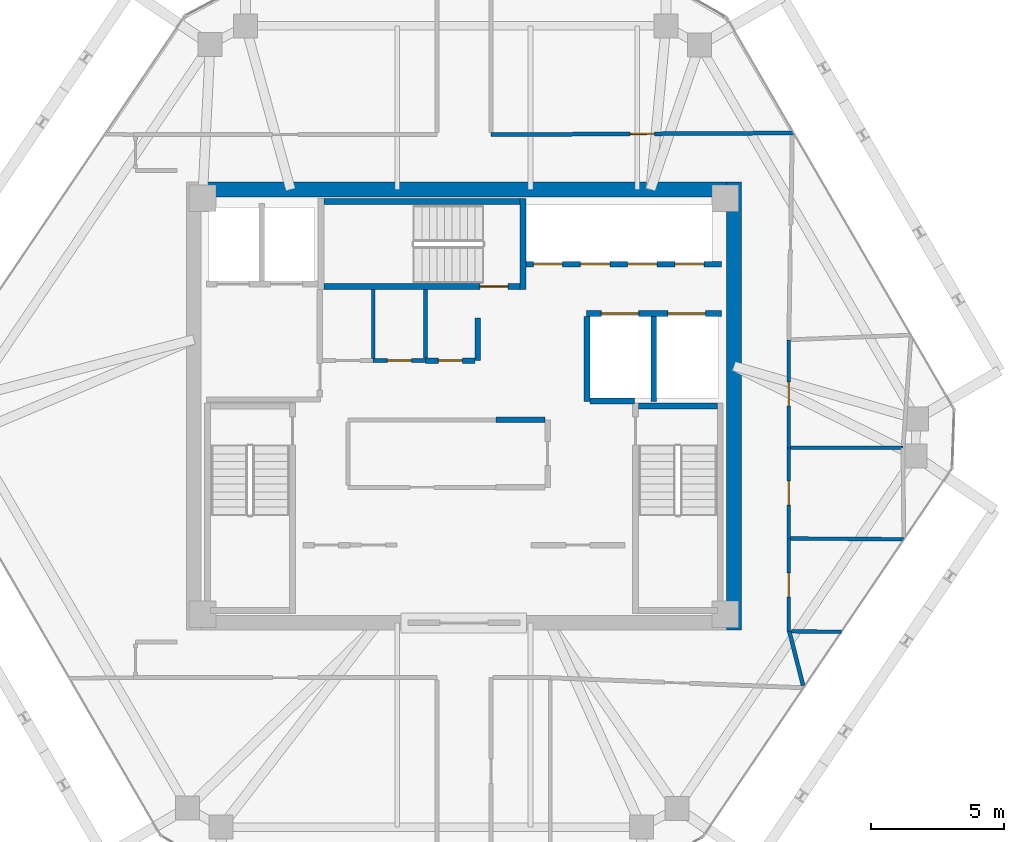
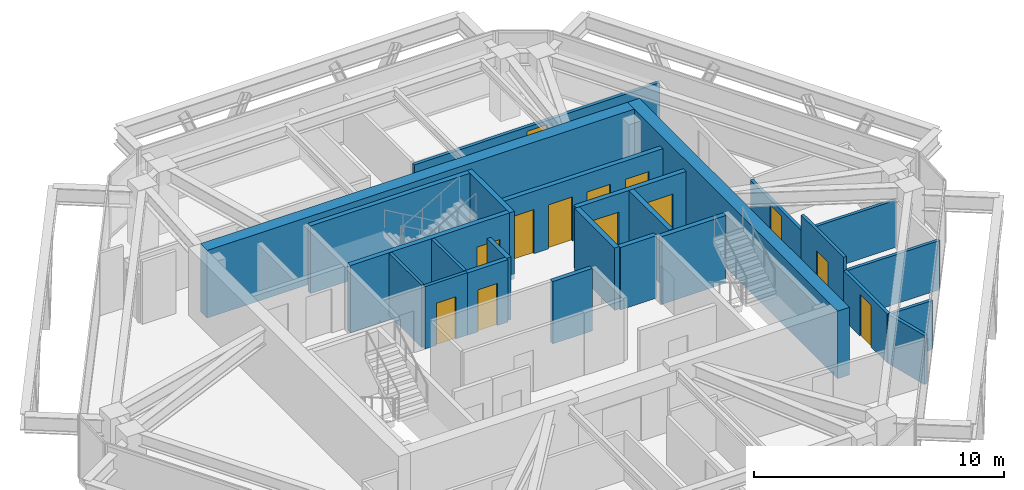
# One storey, part 9 of 11: 25 walls, 13 doors, 13 openings.
"""IFC4 building model written with IfcOpenShell, lengths in metres."""

from ifc_helpers import new_model, si_unit, direction, frame, frame_2d, origin, place, context, subcontext, project, spatial, rectangle, extrude, source, transform, mapped, material, layer, layer_set, type_object, type_shapes, element, fill, save


model = new_model("IFC4")

# Units and contexts
model_context = context("Model", 3, precision=1e-05, world=origin(), true_north=direction((0.0, 1.0)))
body_context = subcontext(model_context, "Body", "Model", "MODEL_VIEW")
ifc_project = project(units=[si_unit("LENGTHUNIT", "METRE"), si_unit("AREAUNIT", "SQUARE_METRE"), si_unit("VOLUMEUNIT", "CUBIC_METRE"), si_unit("PLANEANGLEUNIT", "RADIAN"), si_unit("MASSUNIT", "GRAM", prefix="KILO")], contexts=[model_context])

# Site, building, storey
site_placement = place(None, origin())
site = spatial("IfcSite", under=ifc_project, at=site_placement, CompositionType="ELEMENT")
building_placement = place(site_placement, origin())
building = spatial("IfcBuilding", under=site, at=building_placement, Name="Durnholm Broadcast Tower", CompositionType="ELEMENT")
storey_placement = place(building_placement, frame((0.0, 0.0, 218.300048828125)))
storey = spatial("IfcBuildingStorey", under=building, at=storey_placement, Name="L60", CompositionType="ELEMENT", Elevation=218.300048828125)

# Walls
ifc_material_1 = material(Name="Concrete C70/85", Category="concrete")
ifc_layer_1 = layer(ifc_material_1, 0.550048828125)
ifc_layer_set_1 = layer_set([ifc_layer_1], Name="Concrete C70/85")
wall_type_1 = type_object("IfcWallType", Name="WALL-CW-550", PredefinedType="SHEAR", material=ifc_layer_set_1)
wall_1_placement = place(storey_placement, frame((10.125, -8.39990234375, 0.0), z_axis=(0.0, 0.0, 1.0), x_axis=(0.0, 1.0, 0.0)))
element("IfcWall", 1, at=wall_1_placement, inside=storey, type_object=wall_type_1, Name="L60 central core shear wall CW-EAST", PredefinedType="SHEAR", context=body_context, shape_type="SweptSolid", body=[
    extrude(rectangle(XDim=16.7998046875, YDim=0.550048828125, at=frame_2d((8.39990234375, 0.0))), origin(), (0.0, 0.0, 1.0), 3.300048828125),
])
wall_2_placement = place(storey_placement, frame((-9.85009765625, 8.125, 0.0), z_axis=(0.0, 0.0, 1.0), x_axis=(1.0, 0.0, 0.0)))
element("IfcWall", 2, at=wall_2_placement, inside=storey, type_object=wall_type_1, Name="L60 central core shear wall CW-N", PredefinedType="SHEAR", context=body_context, shape_type="SweptSolid", body=[
    extrude(rectangle(XDim=19.7001953125, YDim=0.550048828125, at=frame_2d((9.85009765625, 0.0))), origin(), (0.0, 0.0, 1.0), 3.300048828125),
])
ifc_material_2 = material(Name="Fire-Rated Gypsum Shaftwall", Category="concrete")
ifc_layer_2 = layer(ifc_material_2, 0.199951171875)
ifc_layer_set_2 = layer_set([ifc_layer_2], Name="Fire-Rated Gypsum Shaftwall")
wall_type_2 = type_object("IfcWallType", Name="WALL-LOB-200", PredefinedType="SOLIDWALL", material=ifc_layer_set_2)
wall_3_placement = place(storey_placement, frame((1.2099609375, -0.510009765625, 0.0), z_axis=(0.0, 0.0, 1.0), x_axis=(1.0, 0.0, 0.0)))
element("IfcWall", 3, at=wall_3_placement, inside=storey, type_object=wall_type_2, Name="L60 Core IT Telecom Room corridor partition", PredefinedType="SOLIDWALL", context=body_context, shape_type="SweptSolid", body=[
    extrude(rectangle(XDim=1.825927734375, YDim=0.199951171875, at=frame_2d((0.9130859375, 0.0))), origin(), (0.0, 0.0, 1.0), 3.044921875),
])
wall_4_placement = place(storey_placement, frame((0.52001953125, 3.300048828125, 0.0), z_axis=(0.0, 0.0, 1.0), x_axis=(0.0, -1.0, 0.0)))
element("IfcWall", 4, at=wall_4_placement, inside=storey, type_object=wall_type_2, Name="L60 Core Telecom Patch Room corridor partition", PredefinedType="SOLIDWALL", context=body_context, shape_type="SweptSolid", body=[
    extrude(rectangle(XDim=1.590087890625, YDim=0.199951171875, at=frame_2d((0.794921875, 0.0))), origin(), (0.0, 0.0, 1.0), 3.044921875),
])

# Wall, opening, door
wall_5_placement = place(storey_placement, frame((0.416015625, 1.7099609375, 0.0), z_axis=(0.0, 0.0, 1.0), x_axis=(-1.0, 0.0, 0.0)))
wall_5 = element("IfcWall", 5, at=wall_5_placement, inside=storey, type_object=wall_type_2, Name="L60 Core Telecom Patch Room corridor partition", PredefinedType="SOLIDWALL", context=body_context, shape_type="SweptSolid", body=[
    extrude(rectangle(XDim=1.85595703125, YDim=0.199951171875, at=frame_2d((0.927978515625, 0.0))), origin(), (0.0, 0.0, 1.0), 3.044921875),
])
opening_1_placement = place(wall_5_placement, frame((0.47802734375, 0.0, 0.0)))
opening_1 = element("IfcOpeningElement", 6, at=opening_1_placement, cuts=wall_5, Name="Opening DC-60R", PredefinedType="OPENING", context=body_context, shape_type="SweptSolid", body=[
    extrude(rectangle(XDim=0.89990234375, YDim=2.050048828125, at=frame_2d((0.449951171875, 1.02490234375))), frame((0.0, 0.10986328125, 0.0), z_axis=(0.0, -1.0, 0.0), x_axis=(1.0, 0.0, 0.0)), (0.0, 0.0, 1.0), 0.219970703125),
])
ifc_material_3 = material(Name="Fire-Rated Core Service Door", Category="steel")
ifc_layer_3 = layer(ifc_material_3, 0.050048828125)
ifc_layer_set_3 = layer_set([ifc_layer_3], Name="Fire-Rated Core Service Door")
door_type_1 = type_object("IfcDoorType", Name="DOOR-CORE-FD60-R", OperationType="NOTDEFINED", PredefinedType="DOOR", material=ifc_layer_set_3)
shared_shape_1 = source(origin(), body_context, "Body", "SweptSolid", [
    extrude(rectangle(XDim=0.89990234375, YDim=2.050048828125, at=frame_2d((0.449951171875, 1.02490234375))), frame((0.0, 0.02490234375, 0.0), z_axis=(0.0, -1.0, 0.0), x_axis=(1.0, 0.0, 0.0)), (0.0, 0.0, 1.0), 0.050048828125),
])
type_shapes(door_type_1, [shared_shape_1])
door_1_placement = place(opening_1_placement, origin())
door_1 = element("IfcDoor", 7, at=door_1_placement, inside=storey, type_object=door_type_1, Name="L60 Core Telecom Patch Room entrance door", OperationType="SINGLE_SWING_RIGHT", OverallHeight=2.050048828125, OverallWidth=0.89990234375, PredefinedType="DOOR", context=body_context, shape_type="MappedRepresentation", body=[
    mapped(shared_shape_1, transform((0.0, 0.0, 0.0), x_axis=(1.0, 0.0, 0.0), y_axis=(0.0, 1.0, 0.0), z_axis=(0.0, 0.0, 1.0), scale=1.0)),
])
fill(opening_1, door_1)

# Walls
ifc_material_4 = material(Name="Gypsum Metal Stud Partition", Category="concrete")
ifc_layer_4 = layer(ifc_material_4, 0.135009765625)
ifc_layer_set_4 = layer_set([ifc_layer_4], Name="Gypsum Metal Stud Partition")
wall_type_3 = type_object("IfcWallType", Name="WALL-PART-135", PredefinedType="PARTITIONING", material=ifc_layer_set_4)
wall_6_placement = place(storey_placement, frame((-3.39990234375, 4.375, 0.0), z_axis=(0.0, 0.0, 1.0), x_axis=(0.0, -1.0, 0.0)))
element("IfcWall", 8, at=wall_6_placement, inside=storey, type_object=wall_type_3, Name="L60 room dividing partition 6.7", PredefinedType="PARTITIONING", context=body_context, shape_type="SweptSolid", body=[
    extrude(rectangle(XDim=2.5859375, YDim=0.135009765625, at=frame_2d((1.29296875, 0.0))), origin(), (0.0, 0.0, 1.0), 3.044921875),
])
wall_7_placement = place(storey_placement, frame((-1.43994140625, 4.375, 0.0), z_axis=(0.0, 0.0, 1.0), x_axis=(0.0, -1.0, 0.0)))
element("IfcWall", 9, at=wall_7_placement, inside=storey, type_object=wall_type_3, Name="L60 room dividing partition 7.8", PredefinedType="PARTITIONING", context=body_context, shape_type="SweptSolid", body=[
    extrude(rectangle(XDim=2.56103515625, YDim=0.135009765625, at=frame_2d((1.280517578125, 0.0))), origin(), (0.0, 0.0, 1.0), 3.044921875),
])

# Wall, opening, door
ifc_material_5 = material(Name="Acoustic Gypsum Stud Partition", Category="concrete")
ifc_layer_5 = layer(ifc_material_5, 0.14990234375)
ifc_layer_set_5 = layer_set([ifc_layer_5], Name="Acoustic Gypsum Stud Partition")
wall_type_4 = type_object("IfcWallType", Name="WALL-PART-150", PredefinedType="PARTITIONING", material=ifc_layer_set_5)
wall_8_placement = place(storey_placement, frame((-1.43994140625, 1.7099609375, 0.0), z_axis=(0.0, 0.0, 1.0), x_axis=(-1.0, 0.0, 0.0)))
wall_8 = element("IfcWall", 10, at=wall_8_placement, inside=storey, type_object=wall_type_4, Name="L60 Core Janitor Supply Closet corridor partition", PredefinedType="PARTITIONING", context=body_context, shape_type="SweptSolid", body=[
    extrude(rectangle(XDim=1.9599609375, YDim=0.14990234375, at=frame_2d((0.97998046875, 0.0))), origin(), (0.0, 0.0, 1.0), 3.044921875),
])
opening_2_placement = place(wall_8_placement, frame((0.530029296875, 0.0, 0.0)))
opening_2 = element("IfcOpeningElement", 11, at=opening_2_placement, cuts=wall_8, Name="Opening DC-60L", PredefinedType="OPENING", context=body_context, shape_type="SweptSolid", body=[
    extrude(rectangle(XDim=0.89990234375, YDim=2.050048828125, at=frame_2d((0.449951171875, 1.02490234375))), frame((0.0, 0.0849609375, 0.0), z_axis=(0.0, -1.0, 0.0), x_axis=(1.0, 0.0, 0.0)), (0.0, 0.0, 1.0), 0.169921875),
])
ifc_layer_6 = layer(ifc_material_3, 0.050048828125)
ifc_layer_set_6 = layer_set([ifc_layer_6], Name="Fire-Rated Core Service Door")
door_type_2 = type_object("IfcDoorType", Name="DOOR-CORE-FD60-L", OperationType="NOTDEFINED", PredefinedType="DOOR", material=ifc_layer_set_6)
shared_shape_2 = source(origin(), body_context, "Body", "SweptSolid", [
    extrude(rectangle(XDim=0.89990234375, YDim=2.050048828125, at=frame_2d((0.449951171875, 1.02490234375))), frame((0.0, 0.02490234375, 0.0), z_axis=(0.0, -1.0, 0.0), x_axis=(1.0, 0.0, 0.0)), (0.0, 0.0, 1.0), 0.050048828125),
])
type_shapes(door_type_2, [shared_shape_2])
door_2_placement = place(opening_2_placement, origin())
door_2 = element("IfcDoor", 12, at=door_2_placement, inside=storey, type_object=door_type_2, Name="L60 Core Janitor Supply Closet entrance door", OperationType="SINGLE_SWING_LEFT", OverallHeight=2.050048828125, OverallWidth=0.89990234375, PredefinedType="DOOR", context=body_context, shape_type="MappedRepresentation", body=[
    mapped(shared_shape_2, transform((0.0, 0.0, 0.0), x_axis=(1.0, 0.0, 0.0), y_axis=(0.0, 1.0, 0.0), z_axis=(0.0, 0.0, 1.0), scale=1.0)),
])
fill(opening_2, door_2)

wall_9_placement = place(storey_placement, frame((12.368408203125, 10.242919921875, 0.0), z_axis=(0.0, 0.0, 1.0), x_axis=(-0.999984623931, -0.005545439622, 0.0)))
wall_9 = element("IfcWall", 13, at=wall_9_placement, inside=storey, type_object=wall_type_4, Name="L60 Open Plan Broadcast Workspace 3 corridor partition", PredefinedType="PARTITIONING", context=body_context, shape_type="SweptSolid", body=[
    extrude(rectangle(XDim=11.358642578125, YDim=0.14990234375, at=frame_2d((5.67919921875, 0.0))), origin(), (0.0, 0.0, 1.0), 2.30126953125),
])
opening_3_placement = place(wall_9_placement, frame((5.21923828125, 0.0, 0.0)))
opening_3 = element("IfcOpeningElement", 14, at=opening_3_placement, cuts=wall_9, Name="Opening DR-92L", PredefinedType="OPENING", context=body_context, shape_type="SweptSolid", body=[
    extrude(rectangle(XDim=0.919921875, YDim=2.10009765625, at=frame_2d((0.4599609375, 1.050048828125))), frame((0.0, 0.0849609375, 0.0), z_axis=(0.0, -1.0, 0.0), x_axis=(1.0, 0.0, 0.0)), (0.0, 0.0, 1.0), 0.169921875),
])
ifc_material_6 = material(Name="Oak Veneer Office Door", Category="wood")
ifc_layer_7 = layer(ifc_material_6, 0.050048828125)
ifc_layer_set_7 = layer_set([ifc_layer_7], Name="Oak Veneer Office Door")
door_type_3 = type_object("IfcDoorType", Name="DOOR-RM-920L", OperationType="NOTDEFINED", PredefinedType="DOOR", material=ifc_layer_set_7)
shared_shape_3 = source(origin(), body_context, "Body", "SweptSolid", [
    extrude(rectangle(XDim=0.919921875, YDim=2.10009765625, at=frame_2d((0.4599609375, 1.050048828125))), frame((0.0, 0.02490234375, 0.0), z_axis=(0.0, -1.0, 0.0), x_axis=(1.0, 0.0, 0.0)), (0.0, 0.0, 1.0), 0.050048828125),
])
type_shapes(door_type_3, [shared_shape_3])
door_3_placement = place(opening_3_placement, origin())
door_3 = element("IfcDoor", 15, at=door_3_placement, inside=storey, type_object=door_type_3, Name="L60 Open Plan Broadcast Workspace 3 entrance door", OperationType="SINGLE_SWING_LEFT", OverallHeight=2.10009765625, OverallWidth=0.919921875, PredefinedType="DOOR", context=body_context, shape_type="MappedRepresentation", body=[
    mapped(shared_shape_3, transform((0.0, 0.0, 0.0), x_axis=(1.0, 0.0, 0.0), y_axis=(0.0, 1.0, 0.0), z_axis=(0.0, 0.0, 1.0), scale=1.0)),
])
fill(opening_3, door_3)

# Wall
wall_10_placement = place(storey_placement, frame((12.718505859375, -10.477783203125, 0.0), z_axis=(0.0, 0.0, 1.0), x_axis=(-0.246494896578, 0.96914408937, 0.0)))
element("IfcWall", 16, at=wall_10_placement, inside=storey, type_object=wall_type_4, Name="L60 Open Plan Broadcast Workspace 6 corridor partition", PredefinedType="PARTITIONING", context=body_context, shape_type="SweptSolid", body=[
    extrude(rectangle(XDim=2.102783203125, YDim=0.14990234375, at=frame_2d((1.05126953125, 0.0))), origin(), (0.0, 0.0, 1.0), 2.398681640625),
])

# Wall, openings, doors
ifc_material_7 = material(Name="Concrete Blockwork C30/37", Category="masonry")
ifc_layer_8 = layer(ifc_material_7, 0.219970703125)
ifc_layer_set_8 = layer_set([ifc_layer_8], Name="Concrete Blockwork C30/37")
wall_type_5 = type_object("IfcWallType", Name="WALL-SHAFT-220", PredefinedType="SOLIDWALL", material=ifc_layer_set_8)
wall_11_placement = place(storey_placement, frame((4.60009765625, 3.47998046875, 0.0), z_axis=(0.0, 0.0, 1.0), x_axis=(1.0, 0.0, 0.0)))
wall_11 = element("IfcWall", 17, at=wall_11_placement, inside=storey, type_object=wall_type_5, Name="L60 freight service lifts north front wall", PredefinedType="SOLIDWALL", context=body_context, shape_type="SweptSolid", body=[
    extrude(rectangle(XDim=5.0498046875, YDim=0.219970703125, at=frame_2d((2.52490234375, 0.0))), origin(), (0.0, 0.0, 1.0), 3.044921875),
])
opening_4_placement = place(wall_11_placement, frame((0.550048828125, 0.0, 0.0)))
opening_4 = element("IfcOpeningElement", 18, at=opening_4_placement, cuts=wall_11, Name="Opening LD-SVL-2", PredefinedType="OPENING", context=body_context, shape_type="SweptSolid", body=[
    extrude(rectangle(XDim=1.39990234375, YDim=2.14990234375, at=frame_2d((0.699951171875, 1.074951171875))), frame((0.0, 0.1201171875, 0.0), z_axis=(0.0, -1.0, 0.0), x_axis=(1.0, 0.0, 0.0)), (0.0, 0.0, 1.0), 0.239990234375),
])
opening_5_placement = place(wall_11_placement, frame((3.050048828125, 0.0, 0.0)))
opening_5 = element("IfcOpeningElement", 19, at=opening_5_placement, cuts=wall_11, Name="Opening LD-SVL-1", PredefinedType="OPENING", context=body_context, shape_type="SweptSolid", body=[
    extrude(rectangle(XDim=1.39990234375, YDim=2.14990234375, at=frame_2d((0.699951171875, 1.074951171875))), frame((0.0, 0.1201171875, 0.0), z_axis=(0.0, -1.0, 0.0), x_axis=(1.0, 0.0, 0.0)), (0.0, 0.0, 1.0), 0.239990234375),
])
ifc_material_8 = material(Name="Freight Elevator Bi-Parting Sliding Landing Door", Category="steel")
ifc_layer_9 = layer(ifc_material_8, 0.050048828125)
ifc_layer_set_9 = layer_set([ifc_layer_9], Name="Freight Elevator Bi-Parting Sliding Landing Door")
door_type_4 = type_object("IfcDoorType", Name="DOOR-LIFT-SVL", OperationType="DOUBLE_DOOR_SLIDING", PredefinedType="DOOR", material=ifc_layer_set_9)
shared_shape_4 = source(origin(), body_context, "Body", "SweptSolid", [
    extrude(rectangle(XDim=1.39990234375, YDim=2.14990234375, at=frame_2d((0.699951171875, 1.074951171875))), frame((0.0, 0.02490234375, 0.0), z_axis=(0.0, -1.0, 0.0), x_axis=(1.0, 0.0, 0.0)), (0.0, 0.0, 1.0), 0.050048828125),
])
type_shapes(door_type_4, [shared_shape_4])
door_4_placement = place(opening_4_placement, origin())
door_4 = element("IfcDoor", 20, at=door_4_placement, inside=storey, type_object=door_type_4, Name="L60 freight service elevator SVL-2 sliding landing door", OperationType="DOUBLE_DOOR_SLIDING", OverallHeight=2.14990234375, OverallWidth=1.39990234375, PredefinedType="DOOR", context=body_context, shape_type="MappedRepresentation", body=[
    mapped(shared_shape_4, transform((0.0, 0.0, 0.0), x_axis=(1.0, 0.0, 0.0), y_axis=(0.0, 1.0, 0.0), z_axis=(0.0, 0.0, 1.0), scale=1.0)),
])
fill(opening_4, door_4)
door_5_placement = place(opening_5_placement, origin())
door_5 = element("IfcDoor", 21, at=door_5_placement, inside=storey, type_object=door_type_4, Name="L60 freight service elevator SVL-1 sliding landing door", OperationType="DOUBLE_DOOR_SLIDING", OverallHeight=2.14990234375, OverallWidth=1.39990234375, PredefinedType="DOOR", context=body_context, shape_type="MappedRepresentation", body=[
    mapped(shared_shape_4, transform((0.0, 0.0, 0.0), x_axis=(1.0, 0.0, 0.0), y_axis=(0.0, 1.0, 0.0), z_axis=(0.0, 0.0, 1.0), scale=1.0)),
])
fill(opening_5, door_5)

# Walls
for number, where, z_axis, x_axis, name in (
    (22, (4.6201171875, 0.179931640625, 0.0), (0.0, 0.0, 1.0), (0.0, 1.0, 0.0), "L60 freight service lift SVL-2 west wall"),
    (23, (7.1201171875, 0.179931640625, 0.0), (0.0, 0.0, 1.0), (0.0, 1.0, 0.0), "L60 freight service lifts divider wall"),
):
    element("IfcWall", number, at=place(storey_placement, frame(where, z_axis=z_axis, x_axis=x_axis)), inside=storey, type_object=wall_type_5, Name=name, PredefinedType="SOLIDWALL", context=body_context, shape_type="SweptSolid", body=[
        extrude(rectangle(XDim=3.18603515625, YDim=0.219970703125, at=frame_2d((1.593017578125, 0.0))), origin(), (0.0, 0.0, 1.0), 3.044921875),
    ])
wall_12_placement = place(storey_placement, frame((4.73388671875, 0.199951171875, 0.0), z_axis=(0.0, 0.0, 1.0), x_axis=(1.0, 0.0, 0.0)))
element("IfcWall", 24, at=wall_12_placement, inside=storey, type_object=wall_type_5, Name="L60 freight service lift SVL-2 south wall", PredefinedType="SOLIDWALL", context=body_context, shape_type="SweptSolid", body=[
    extrude(rectangle(XDim=1.666015625, YDim=0.219970703125, at=frame_2d((0.8330078125, 0.0))), origin(), (0.0, 0.0, 1.0), 3.044921875),
])

# Wall, openings, doors
wall_13_placement = place(storey_placement, frame((2.324951171875, 5.320068359375, 0.0), z_axis=(0.0, 0.0, 1.0), x_axis=(1.0, 0.0, 0.0)))
wall_13 = element("IfcWall", 25, at=wall_13_placement, inside=storey, type_object=wall_type_5, Name="L60 high-rise bank P3 south front wall", PredefinedType="SOLIDWALL", context=body_context, shape_type="SweptSolid", body=[
    extrude(rectangle(XDim=7.324951171875, YDim=0.219970703125, at=frame_2d((3.66259765625, 0.0))), origin(), (0.0, 0.0, 1.0), 3.044921875),
])
opening_6_placement = place(wall_13_placement, frame((0.27490234375, 0.0, 0.0)))
opening_6 = element("IfcOpeningElement", 26, at=opening_6_placement, cuts=wall_13, Name="Opening LD-LP3-1", PredefinedType="OPENING", context=body_context, shape_type="SweptSolid", body=[
    extrude(rectangle(XDim=1.10009765625, YDim=2.14990234375, at=frame_2d((0.550048828125, 1.074951171875))), frame((0.0, 0.1201171875, 0.0), z_axis=(0.0, -1.0, 0.0), x_axis=(1.0, 0.0, 0.0)), (0.0, 0.0, 1.0), 0.239990234375),
])
opening_7_placement = place(wall_13_placement, frame((2.044921875, 0.0, 0.0)))
opening_7 = element("IfcOpeningElement", 27, at=opening_7_placement, cuts=wall_13, Name="Opening LD-LP3-2", PredefinedType="OPENING", context=body_context, shape_type="SweptSolid", body=[
    extrude(rectangle(XDim=1.10009765625, YDim=2.14990234375, at=frame_2d((0.550048828125, 1.074951171875))), frame((0.0, 0.1201171875, 0.0), z_axis=(0.0, -1.0, 0.0), x_axis=(1.0, 0.0, 0.0)), (0.0, 0.0, 1.0), 0.239990234375),
])
opening_8_placement = place(wall_13_placement, frame((3.81494140625, 0.0, 0.0)))
opening_8 = element("IfcOpeningElement", 28, at=opening_8_placement, cuts=wall_13, Name="Opening LD-LP3-3", PredefinedType="OPENING", context=body_context, shape_type="SweptSolid", body=[
    extrude(rectangle(XDim=1.10009765625, YDim=2.14990234375, at=frame_2d((0.550048828125, 1.074951171875))), frame((0.0, 0.1201171875, 0.0), z_axis=(0.0, -1.0, 0.0), x_axis=(1.0, 0.0, 0.0)), (0.0, 0.0, 1.0), 0.239990234375),
])
opening_9_placement = place(wall_13_placement, frame((5.5849609375, 0.0, 0.0)))
opening_9 = element("IfcOpeningElement", 29, at=opening_9_placement, cuts=wall_13, Name="Opening LD-LP3-4", PredefinedType="OPENING", context=body_context, shape_type="SweptSolid", body=[
    extrude(rectangle(XDim=1.10009765625, YDim=2.14990234375, at=frame_2d((0.550048828125, 1.074951171875))), frame((0.0, 0.1201171875, 0.0), z_axis=(0.0, -1.0, 0.0), x_axis=(1.0, 0.0, 0.0)), (0.0, 0.0, 1.0), 0.239990234375),
])
ifc_material_9 = material(Name="Stainless Steel Sliding Elevator Landing Door", Category="steel")
ifc_layer_10 = layer(ifc_material_9, 0.050048828125)
ifc_layer_set_10 = layer_set([ifc_layer_10], Name="Stainless Steel Sliding Elevator Landing Door")
door_type_5 = type_object("IfcDoorType", Name="DOOR-LIFT-PAX", OperationType="DOUBLE_DOOR_SLIDING", PredefinedType="DOOR", material=ifc_layer_set_10)
shared_shape_5 = source(origin(), body_context, "Body", "SweptSolid", [
    extrude(rectangle(XDim=1.10009765625, YDim=2.14990234375, at=frame_2d((0.550048828125, 1.074951171875))), frame((0.0, 0.02490234375, 0.0), z_axis=(0.0, -1.0, 0.0), x_axis=(1.0, 0.0, 0.0)), (0.0, 0.0, 1.0), 0.050048828125),
])
type_shapes(door_type_5, [shared_shape_5])
door_6_placement = place(opening_6_placement, origin())
door_6 = element("IfcDoor", 30, at=door_6_placement, inside=storey, type_object=door_type_5, Name="L60 high-rise elevator LP3-1 sliding landing door", OperationType="DOUBLE_DOOR_SLIDING", OverallHeight=2.14990234375, OverallWidth=1.10009765625, PredefinedType="DOOR", context=body_context, shape_type="MappedRepresentation", body=[
    mapped(shared_shape_5, transform((0.0, 0.0, 0.0), x_axis=(1.0, 0.0, 0.0), y_axis=(0.0, 1.0, 0.0), z_axis=(0.0, 0.0, 1.0), scale=1.0)),
])
fill(opening_6, door_6)
door_7_placement = place(opening_7_placement, origin())
door_7 = element("IfcDoor", 31, at=door_7_placement, inside=storey, type_object=door_type_5, Name="L60 high-rise elevator LP3-2 sliding landing door", OperationType="DOUBLE_DOOR_SLIDING", OverallHeight=2.14990234375, OverallWidth=1.10009765625, PredefinedType="DOOR", context=body_context, shape_type="MappedRepresentation", body=[
    mapped(shared_shape_5, transform((0.0, 0.0, 0.0), x_axis=(1.0, 0.0, 0.0), y_axis=(0.0, 1.0, 0.0), z_axis=(0.0, 0.0, 1.0), scale=1.0)),
])
fill(opening_7, door_7)
door_8_placement = place(opening_8_placement, origin())
door_8 = element("IfcDoor", 32, at=door_8_placement, inside=storey, type_object=door_type_5, Name="L60 high-rise elevator LP3-3 sliding landing door", OperationType="DOUBLE_DOOR_SLIDING", OverallHeight=2.14990234375, OverallWidth=1.10009765625, PredefinedType="DOOR", context=body_context, shape_type="MappedRepresentation", body=[
    mapped(shared_shape_5, transform((0.0, 0.0, 0.0), x_axis=(1.0, 0.0, 0.0), y_axis=(0.0, 1.0, 0.0), z_axis=(0.0, 0.0, 1.0), scale=1.0)),
])
fill(opening_8, door_8)
door_9_placement = place(opening_9_placement, origin())
door_9 = element("IfcDoor", 33, at=door_9_placement, inside=storey, type_object=door_type_5, Name="L60 high-rise elevator LP3-4 sliding landing door", OperationType="DOUBLE_DOOR_SLIDING", OverallHeight=2.14990234375, OverallWidth=1.10009765625, PredefinedType="DOOR", context=body_context, shape_type="MappedRepresentation", body=[
    mapped(shared_shape_5, transform((0.0, 0.0, 0.0), x_axis=(1.0, 0.0, 0.0), y_axis=(0.0, 1.0, 0.0), z_axis=(0.0, 0.0, 1.0), scale=1.0)),
])
fill(opening_9, door_9)

# Walls
ifc_material_10 = material(Name="Concrete C50/60", Category="concrete")
ifc_layer_11 = layer(ifc_material_10, 0.219970703125)
ifc_layer_set_11 = layer_set([ifc_layer_11], Name="Concrete C50/60")
wall_type_6 = type_object("IfcWallType", Name="WALL-SW-220", PredefinedType="SHEAR", material=ifc_layer_set_11)
wall_14_placement = place(storey_placement, frame((9.5, 0.010009765625, -0.239990234375), z_axis=(0.0, 0.0, 1.0), x_axis=(-1.0, 0.0, 0.0)))
element("IfcWall", 34, at=wall_14_placement, inside=storey, type_object=wall_type_6, Name="L60 stair ST-2 structural shaft wall N", PredefinedType="SHEAR", context=body_context, shape_type="SweptSolid", body=[
    extrude(rectangle(XDim=2.9599609375, YDim=0.219970703125, at=frame_2d((1.47998046875, 0.0))), origin(), (0.0, 0.0, 1.0), 3.300048828125),
])
wall_15_placement = place(storey_placement, frame((2.2099609375, 4.3798828125, -0.239990234375), z_axis=(0.0, 0.0, 1.0), x_axis=(0.0, 1.0, 0.0)))
element("IfcWall", 35, at=wall_15_placement, inside=storey, type_object=wall_type_6, Name="L60 stair ST-3 structural shaft wall E", PredefinedType="SHEAR", context=body_context, shape_type="SweptSolid", body=[
    extrude(rectangle(XDim=3.400146484375, YDim=0.219970703125, at=frame_2d((1.7001953125, 0.0))), origin(), (0.0, 0.0, 1.0), 3.300048828125),
])

# Wall, opening, door
wall_16_placement = place(storey_placement, frame((-5.25, 4.489990234375, -0.239990234375), z_axis=(0.0, 0.0, 1.0), x_axis=(1.0, 0.0, 0.0)))
wall_16 = element("IfcWall", 36, at=wall_16_placement, inside=storey, type_object=wall_type_6, Name="L60 stair ST-3 structural shaft wall S", PredefinedType="SHEAR", context=body_context, shape_type="SweptSolid", body=[
    extrude(rectangle(XDim=7.35009765625, YDim=0.219970703125, at=frame_2d((3.675048828125, 0.0))), origin(), (0.0, 0.0, 1.0), 3.300048828125),
])
opening_10_placement = place(wall_16_placement, frame((5.85009765625, 0.0, 0.0)))
opening_10 = element("IfcOpeningElement", 37, at=opening_10_placement, cuts=wall_16, Name="Opening DS-90L", PredefinedType="OPENING", context=body_context, shape_type="SweptSolid", body=[
    extrude(rectangle(XDim=1.050048828125, YDim=2.14990234375, at=frame_2d((0.52490234375, 1.074951171875))), frame((0.0, 0.1201171875, 0.0), z_axis=(0.0, -1.0, 0.0), x_axis=(1.0, 0.0, 0.0)), (0.0, 0.0, 1.0), 0.239990234375),
])
ifc_material_11 = material(Name="Fire-Rated Steel Door", Category="steel")
ifc_layer_12 = layer(ifc_material_11, 0.050048828125)
ifc_layer_set_12 = layer_set([ifc_layer_12], Name="Fire-Rated Steel Door")
door_type_6 = type_object("IfcDoorType", Name="DOOR-ST-FD90-L", OperationType="NOTDEFINED", PredefinedType="DOOR", material=ifc_layer_set_12)
shared_shape_6 = source(origin(), body_context, "Body", "SweptSolid", [
    extrude(rectangle(XDim=1.050048828125, YDim=2.14990234375, at=frame_2d((0.52490234375, 1.074951171875))), frame((0.0, 0.02490234375, 0.0), z_axis=(0.0, -1.0, 0.0), x_axis=(1.0, 0.0, 0.0)), (0.0, 0.0, 1.0), 0.050048828125),
])
type_shapes(door_type_6, [shared_shape_6])
door_10_placement = place(opening_10_placement, origin())
door_10 = element("IfcDoor", 38, at=door_10_placement, inside=storey, type_object=door_type_6, Name="L60 exit stair ST-3 fire door", OperationType="SINGLE_SWING_LEFT", OverallHeight=2.14990234375, OverallWidth=1.050048828125, PredefinedType="DOOR", context=body_context, shape_type="MappedRepresentation", body=[
    mapped(shared_shape_6, transform((0.0, 0.0, 0.0), x_axis=(1.0, 0.0, 0.0), y_axis=(0.0, 1.0, 0.0), z_axis=(0.0, 0.0, 1.0), scale=1.0)),
])
fill(opening_10, door_10)

# Wall
wall_17_placement = place(storey_placement, frame((2.10009765625, 7.669921875, -0.239990234375), z_axis=(0.0, 0.0, 1.0), x_axis=(-1.0, 0.0, 0.0)))
element("IfcWall", 39, at=wall_17_placement, inside=storey, type_object=wall_type_6, Name="L60 stair ST-3 structural shaft wall N", PredefinedType="SHEAR", context=body_context, shape_type="SweptSolid", body=[
    extrude(rectangle(XDim=7.35009765625, YDim=0.219970703125, at=frame_2d((3.675048828125, 0.0))), origin(), (0.0, 0.0, 1.0), 3.300048828125),
])

# Wall, opening, door
ifc_material_12 = material(Name="Moisture-Resistant Tile Partition", Category="concrete")
ifc_layer_13 = layer(ifc_material_12, 0.139892578125)
ifc_layer_set_13 = layer_set([ifc_layer_13], Name="Moisture-Resistant Tile Partition")
wall_type_7 = type_object("IfcWallType", Name="WALL-WC-140", PredefinedType="PARTITIONING", material=ifc_layer_set_13)
wall_18_placement = place(storey_placement, frame((12.179931640625, -8.43994140625, 0.0), z_axis=(0.0, 0.0, 1.0), x_axis=(0.0, 1.0, 0.0)))
wall_18 = element("IfcWall", 40, at=wall_18_placement, inside=storey, type_object=wall_type_7, Name="L60 Men's Restroom corridor partition", PredefinedType="PARTITIONING", context=body_context, shape_type="SweptSolid", body=[
    extrude(rectangle(XDim=3.47998046875, YDim=0.139892578125, at=frame_2d((1.739990234375, 0.0))), origin(), (0.0, 0.0, 1.0), 2.398681640625),
])
opening_11_placement = place(wall_18_placement, frame((1.2900390625, 0.0, 0.0)))
opening_11 = element("IfcOpeningElement", 41, at=opening_11_placement, cuts=wall_18, Name="Opening DW-90L", PredefinedType="OPENING", context=body_context, shape_type="SweptSolid", body=[
    extrude(rectangle(XDim=0.89990234375, YDim=2.050048828125, at=frame_2d((0.449951171875, 1.02490234375))), frame((0.0, 0.080078125, 0.0), z_axis=(0.0, -1.0, 0.0), x_axis=(1.0, 0.0, 0.0)), (0.0, 0.0, 1.0), 0.159912109375),
])
ifc_material_13 = material(Name="Laminate Restroom Door", Category="steel")
ifc_layer_14 = layer(ifc_material_13, 0.050048828125)
ifc_layer_set_14 = layer_set([ifc_layer_14], Name="Laminate Restroom Door")
door_type_7 = type_object("IfcDoorType", Name="DOOR-WC-900L", OperationType="NOTDEFINED", PredefinedType="DOOR", material=ifc_layer_set_14)
shared_shape_7 = source(origin(), body_context, "Body", "SweptSolid", [
    extrude(rectangle(XDim=0.89990234375, YDim=2.050048828125, at=frame_2d((0.449951171875, 1.02490234375))), frame((0.0, 0.02490234375, 0.0), z_axis=(0.0, -1.0, 0.0), x_axis=(1.0, 0.0, 0.0)), (0.0, 0.0, 1.0), 0.050048828125),
])
type_shapes(door_type_7, [shared_shape_7])
door_11_placement = place(opening_11_placement, origin())
door_11 = element("IfcDoor", 42, at=door_11_placement, inside=storey, type_object=door_type_7, Name="L60 Men's Restroom entrance door", OperationType="SINGLE_SWING_LEFT", OverallHeight=2.050048828125, OverallWidth=0.89990234375, PredefinedType="DOOR", context=body_context, shape_type="MappedRepresentation", body=[
    mapped(shared_shape_7, transform((0.0, 0.0, 0.0), x_axis=(1.0, 0.0, 0.0), y_axis=(0.0, 1.0, 0.0), z_axis=(0.0, 0.0, 1.0), scale=1.0)),
])
fill(opening_11, door_11)

wall_19_placement = place(storey_placement, frame((12.179931640625, -4.9599609375, 0.0), z_axis=(0.0, 0.0, 1.0), x_axis=(0.0, 1.0, 0.0)))
wall_19 = element("IfcWall", 43, at=wall_19_placement, inside=storey, type_object=wall_type_7, Name="L60 Women's Restroom corridor partition", PredefinedType="PARTITIONING", context=body_context, shape_type="SweptSolid", body=[
    extrude(rectangle(XDim=3.39990234375, YDim=0.139892578125, at=frame_2d((1.699951171875, 0.0))), origin(), (0.0, 0.0, 1.0), 3.044921875),
])
opening_12_placement = place(wall_19_placement, frame((1.25, 0.0, 0.0)))
opening_12 = element("IfcOpeningElement", 44, at=opening_12_placement, cuts=wall_19, Name="Opening DW-90R", PredefinedType="OPENING", context=body_context, shape_type="SweptSolid", body=[
    extrude(rectangle(XDim=0.89990234375, YDim=2.050048828125, at=frame_2d((0.449951171875, 1.02490234375))), frame((0.0, 0.080078125, 0.0), z_axis=(0.0, -1.0, 0.0), x_axis=(1.0, 0.0, 0.0)), (0.0, 0.0, 1.0), 0.159912109375),
])
ifc_layer_15 = layer(ifc_material_13, 0.050048828125)
ifc_layer_set_15 = layer_set([ifc_layer_15], Name="Laminate Restroom Door")
door_type_8 = type_object("IfcDoorType", Name="DOOR-WC-900R", OperationType="NOTDEFINED", PredefinedType="DOOR", material=ifc_layer_set_15)
shared_shape_8 = source(origin(), body_context, "Body", "SweptSolid", [
    extrude(rectangle(XDim=0.89990234375, YDim=2.050048828125, at=frame_2d((0.449951171875, 1.02490234375))), frame((0.0, 0.02490234375, 0.0), z_axis=(0.0, -1.0, 0.0), x_axis=(1.0, 0.0, 0.0)), (0.0, 0.0, 1.0), 0.050048828125),
])
type_shapes(door_type_8, [shared_shape_8])
door_12_placement = place(opening_12_placement, origin())
door_12 = element("IfcDoor", 45, at=door_12_placement, inside=storey, type_object=door_type_8, Name="L60 Women's Restroom entrance door", OperationType="SINGLE_SWING_RIGHT", OverallHeight=2.050048828125, OverallWidth=0.89990234375, PredefinedType="DOOR", context=body_context, shape_type="MappedRepresentation", body=[
    mapped(shared_shape_8, transform((0.0, 0.0, 0.0), x_axis=(1.0, 0.0, 0.0), y_axis=(0.0, 1.0, 0.0), z_axis=(0.0, 0.0, 1.0), scale=1.0)),
])
fill(opening_12, door_12)

wall_20_placement = place(storey_placement, frame((12.179931640625, -1.56005859375, 0.0), z_axis=(0.0, 0.0, 1.0), x_axis=(0.0, 1.0, 0.0)))
wall_20 = element("IfcWall", 46, at=wall_20_placement, inside=storey, type_object=wall_type_7, Name="L60 Accessible Restroom corridor partition", PredefinedType="PARTITIONING", context=body_context, shape_type="SweptSolid", body=[
    extrude(rectangle(XDim=4.050048828125, YDim=0.139892578125, at=frame_2d((2.02490234375, 0.0))), origin(), (0.0, 0.0, 1.0), 2.30126953125),
])
opening_13_placement = place(wall_20_placement, frame((1.574951171875, 0.0, 0.0)))
opening_13 = element("IfcOpeningElement", 47, at=opening_13_placement, cuts=wall_20, Name="Opening DW-90L", PredefinedType="OPENING", context=body_context, shape_type="SweptSolid", body=[
    extrude(rectangle(XDim=0.89990234375, YDim=2.050048828125, at=frame_2d((0.449951171875, 1.02490234375))), frame((0.0, 0.080078125, 0.0), z_axis=(0.0, -1.0, 0.0), x_axis=(1.0, 0.0, 0.0)), (0.0, 0.0, 1.0), 0.159912109375),
])
door_13_placement = place(opening_13_placement, origin())
door_13 = element("IfcDoor", 48, at=door_13_placement, inside=storey, type_object=door_type_7, Name="L60 Accessible Restroom entrance door", OperationType="SINGLE_SWING_LEFT", OverallHeight=2.050048828125, OverallWidth=0.89990234375, PredefinedType="DOOR", context=body_context, shape_type="MappedRepresentation", body=[
    mapped(shared_shape_7, transform((0.0, 0.0, 0.0), x_axis=(1.0, 0.0, 0.0), y_axis=(0.0, 1.0, 0.0), z_axis=(0.0, 0.0, 1.0), scale=1.0)),
])
fill(opening_13, door_13)

# Walls
wall_21_placement = place(storey_placement, frame((12.25390625, -4.96044921875, 0.0), z_axis=(0.0, 0.0, 1.0), x_axis=(0.999976630429, -0.006836563198, 0.0)))
element("IfcWall", 49, at=wall_21_placement, inside=storey, type_object=wall_type_7, Name="L60 room dividing partition 9.10", PredefinedType="PARTITIONING", context=body_context, shape_type="SweptSolid", body=[
    extrude(rectangle(XDim=4.24951171875, YDim=0.139892578125, at=frame_2d((2.124755859375, 0.0))), origin(), (0.0, 0.0, 1.0), 2.398681640625),
])
wall_22_placement = place(storey_placement, frame((14.155517578125, -8.46240234375, 0.0), z_axis=(0.0, 0.0, 1.0), x_axis=(-0.999935742613, 0.011336253532, 0.0)))
element("IfcWall", 50, at=wall_22_placement, inside=storey, type_object=wall_type_7, Name="L60 room dividing partition 9.16", PredefinedType="PARTITIONING", context=body_context, shape_type="SweptSolid", body=[
    extrude(rectangle(XDim=1.87353515625, YDim=0.139892578125, at=frame_2d((0.936767578125, 0.0))), origin(), (0.0, 0.0, 1.0), 2.398681640625),
])
wall_23_placement = place(storey_placement, frame((12.25390625, -1.56005859375, 0.0), z_axis=(0.0, 0.0, 1.0), x_axis=(1.0, 0.0, 0.0)))
element("IfcWall", 51, at=wall_23_placement, inside=storey, type_object=wall_type_7, Name="L60 room dividing partition 10.11", PredefinedType="PARTITIONING", context=body_context, shape_type="SweptSolid", body=[
    extrude(rectangle(XDim=4.2060546875, YDim=0.139892578125, at=frame_2d((2.10302734375, 0.0))), origin(), (0.0, 0.0, 1.0), 2.30126953125),
])

save(model, "model.ifc")
